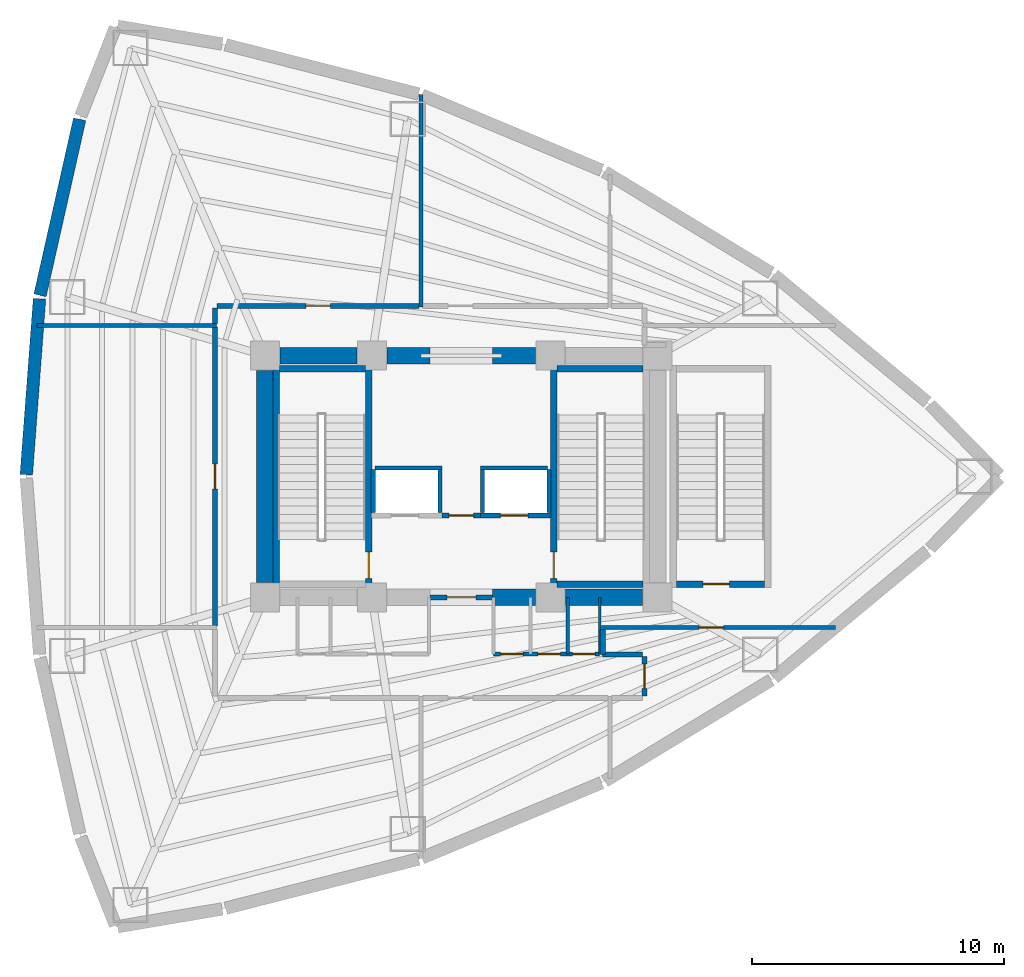
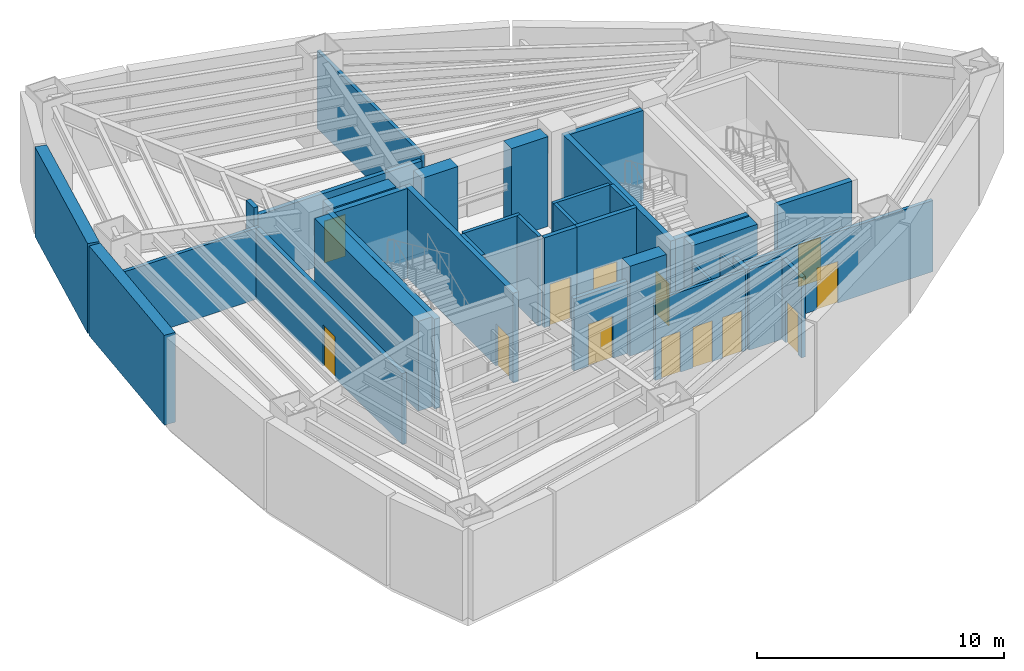
# One storey, part 3 of 5: 36 walls, 13 doors, 13 openings.
"""IFC4 building model written with IfcOpenShell, lengths in metres."""

from ifc_helpers import new_model, si_unit, direction, frame, frame_2d, origin, place, context, subcontext, project, spatial, rectangle, extrude, material, layer, layer_set, type_object, element, fill, save


model = new_model("IFC4")

# Units and contexts
model_context = context("Model", 3, precision=1e-05, world=origin(), true_north=direction((0.0, 1.0)))
body_context = subcontext(model_context, "Body", "Model", "MODEL_VIEW")
ifc_project = project(units=[si_unit("LENGTHUNIT", "METRE"), si_unit("AREAUNIT", "SQUARE_METRE"), si_unit("VOLUMEUNIT", "CUBIC_METRE"), si_unit("PLANEANGLEUNIT", "RADIAN"), si_unit("MASSUNIT", "GRAM", prefix="KILO")], contexts=[model_context])

# Site, building, storey
site_placement = place(None, origin())
site = spatial("IfcSite", under=ifc_project, at=site_placement, CompositionType="ELEMENT")
building_placement = place(site_placement, origin())
building = spatial("IfcBuilding", under=site, at=building_placement, Name="Menara Vayukalpa", CompositionType="ELEMENT")
storey_placement = place(building_placement, frame((0.0, 0.0, -4.800048828125)))
storey = spatial("IfcBuildingStorey", under=building, at=storey_placement, Name="B01", CompositionType="ELEMENT", Elevation=-4.800048828125)

# Walls
ifc_material_1 = material(Name="Concrete C80/95", Category="concrete")
ifc_layer_1 = layer(ifc_material_1, 0.64990234375)
ifc_layer_set_1 = layer_set([ifc_layer_1], Name="Concrete C80/95")
wall_type_1 = type_object("IfcWallType", Name="WAL-CW650", PredefinedType="SHEAR", material=ifc_layer_set_1)
wall_1_placement = place(storey_placement, frame((26.85009765625, 17.199951171875, 0.0), z_axis=(0.0, 0.0, 1.0), x_axis=(1.0, 0.0, 0.0)))
element("IfcWall", 1, at=wall_1_placement, inside=storey, type_object=wall_type_1, Name="B01 Buttressed Core Shear Wall CWS3", PredefinedType="SHEAR", context=body_context, shape_type="SweptSolid", body=[
    extrude(rectangle(XDim=1.704833984375, YDim=0.64990234375, at=frame_2d((0.8525390625, 0.0))), origin(), (0.0, 0.0, 1.0), 4.43994140625),
])
wall_2_placement = place(storey_placement, frame((29.7451171875, 17.199951171875, 0.0), z_axis=(0.0, 0.0, 1.0), x_axis=(1.0, 0.0, 0.0)))
element("IfcWall", 2, at=wall_2_placement, inside=storey, type_object=wall_type_1, Name="B01 Buttressed Core Shear Wall CWS4", PredefinedType="SHEAR", context=body_context, shape_type="SweptSolid", body=[
    extrude(rectangle(XDim=3.059814453125, YDim=0.64990234375, at=frame_2d((1.52978515625, 0.0))), origin(), (0.0, 0.0, 1.0), 4.43994140625),
])
wall_3_placement = place(storey_placement, frame((18.39501953125, 26.800048828125, 0.0), z_axis=(0.0, 0.0, 1.0), x_axis=(1.0, 0.0, 0.0)))
element("IfcWall", 3, at=wall_3_placement, inside=storey, type_object=wall_type_1, Name="B01 Buttressed Core Shear Wall CWN1", PredefinedType="SHEAR", context=body_context, shape_type="SweptSolid", body=[
    extrude(rectangle(XDim=3.06005859375, YDim=0.64990234375, at=frame_2d((1.530029296875, 0.0))), origin(), (0.0, 0.0, 1.0), 4.43994140625),
])
wall_4_placement = place(storey_placement, frame((22.64501953125, 26.800048828125, 0.0), z_axis=(0.0, 0.0, 1.0), x_axis=(1.0, 0.0, 0.0)))
element("IfcWall", 4, at=wall_4_placement, inside=storey, type_object=wall_type_1, Name="B01 Buttressed Core Shear Wall CWN2", PredefinedType="SHEAR", context=body_context, shape_type="SweptSolid", body=[
    extrude(rectangle(XDim=1.705078125, YDim=0.64990234375, at=frame_2d((0.8525390625, 0.0))), origin(), (0.0, 0.0, 1.0), 4.43994140625),
])
wall_5_placement = place(storey_placement, frame((26.85009765625, 26.800048828125, 0.0), z_axis=(0.0, 0.0, 1.0), x_axis=(1.0, 0.0, 0.0)))
element("IfcWall", 5, at=wall_5_placement, inside=storey, type_object=wall_type_1, Name="B01 Buttressed Core Shear Wall CWN3", PredefinedType="SHEAR", context=body_context, shape_type="SweptSolid", body=[
    extrude(rectangle(XDim=1.704833984375, YDim=0.64990234375, at=frame_2d((0.8525390625, 0.0))), origin(), (0.0, 0.0, 1.0), 4.43994140625),
])
wall_6_placement = place(storey_placement, frame((17.800048828125, 17.794921875, 0.0), z_axis=(0.0, 0.0, 1.0), x_axis=(0.0, 1.0, 0.0)))
element("IfcWall", 6, at=wall_6_placement, inside=storey, type_object=wall_type_1, Name="B01 Buttressed Core Shear Wall CWW1", PredefinedType="SHEAR", context=body_context, shape_type="SweptSolid", body=[
    extrude(rectangle(XDim=8.41015625, YDim=0.64990234375, at=frame_2d((4.205078125, 0.0))), origin(), (0.0, 0.0, 1.0), 4.43994140625),
])
ifc_material_2 = material(Name="Lightweight Concrete Blockwork C16/20", Category="masonry")
ifc_layer_2 = layer(ifc_material_2, 0.159912109375)
ifc_layer_set_2 = layer_set([ifc_layer_2], Name="Lightweight Concrete Blockwork C16/20")
wall_type_2 = type_object("IfcWallType", Name="WAL-FR150", PredefinedType="PARTITIONING", material=ifc_layer_set_2)
for number, where, z_axis, x_axis, name in (
    (7, (22.10498046875, 20.56005859375, 0.0), (0.0, 0.0, 1.0), (0.0, 1.0, 0.0), "B01 Interior Partition IW-B01-SHW-WW"),
    (8, (24.7548828125, 20.56005859375, 0.0), (0.0, 0.0, 1.0), (0.0, 1.0, 0.0), "B01 Interior Partition IW-B01-SHW-W1E"),
):
    element("IfcWall", number, at=place(storey_placement, frame(where, z_axis=z_axis, x_axis=x_axis)), inside=storey, type_object=wall_type_2, Name=name, PredefinedType="PARTITIONING", context=body_context, shape_type="SweptSolid", body=[
        extrude(rectangle(XDim=1.7099609375, YDim=0.159912109375, at=frame_2d((0.85498046875, 0.0))), origin(), (0.0, 0.0, 1.0), 4.43994140625),
    ])
wall_7_placement = place(storey_placement, frame((22.179931640625, 22.344970703125, 0.0), z_axis=(0.0, 0.0, 1.0), x_axis=(1.0, 0.0, 0.0)))
element("IfcWall", 9, at=wall_7_placement, inside=storey, type_object=wall_type_2, Name="B01 Interior Partition IW-B01-SHM-W12", PredefinedType="PARTITIONING", context=body_context, shape_type="SweptSolid", body=[
    extrude(rectangle(XDim=2.650146484375, YDim=0.159912109375, at=frame_2d((1.3251953125, 0.0))), origin(), (0.0, 0.0, 1.0), 4.43994140625),
])
for number, where, z_axis, x_axis, name in (
    (10, (29.094970703125, 20.56005859375, 0.0), (0.0, 0.0, 1.0), (0.0, 1.0, 0.0), "B01 Interior Partition IW-B01-SHW-EE"),
    (11, (26.445068359375, 20.56005859375, 0.0), (0.0, 0.0, 1.0), (0.0, 1.0, 0.0), "B01 Interior Partition IW-B01-SHW-E1W"),
):
    element("IfcWall", number, at=place(storey_placement, frame(where, z_axis=z_axis, x_axis=x_axis)), inside=storey, type_object=wall_type_2, Name=name, PredefinedType="PARTITIONING", context=body_context, shape_type="SweptSolid", body=[
        extrude(rectangle(XDim=1.7099609375, YDim=0.159912109375, at=frame_2d((0.85498046875, 0.0))), origin(), (0.0, 0.0, 1.0), 4.43994140625),
    ])
wall_8_placement = place(storey_placement, frame((26.3701171875, 22.344970703125, 0.0), z_axis=(0.0, 0.0, 1.0), x_axis=(1.0, 0.0, 0.0)))
element("IfcWall", 12, at=wall_8_placement, inside=storey, type_object=wall_type_2, Name="B01 Interior Partition IW-B01-SHM-E13", PredefinedType="PARTITIONING", context=body_context, shape_type="SweptSolid", body=[
    extrude(rectangle(XDim=2.64990234375, YDim=0.159912109375, at=frame_2d((1.324951171875, 0.0))), origin(), (0.0, 0.0, 1.0), 4.43994140625),
])
wall_9_placement = place(storey_placement, frame((24.0, 28.72998046875, 0.0), z_axis=(0.0, 0.0, 1.0), x_axis=(0.0, 1.0, 0.0)))
element("IfcWall", 13, at=wall_9_placement, inside=storey, type_object=wall_type_2, Name="B01 Interior Partition IW-B01-RDIV02", PredefinedType="PARTITIONING", context=body_context, shape_type="SweptSolid", body=[
    extrude(rectangle(XDim=8.450439453125, YDim=0.159912109375, at=frame_2d((4.22509765625, 0.0))), origin(), (0.0, 0.0, 1.0), 3.820068359375),
])

# Wall, opening, door
wall_10_placement = place(storey_placement, frame((31.169921875, 16.0, 0.0), z_axis=(0.0, 0.0, 1.0), x_axis=(1.0, 0.0, 0.0)))
wall_10 = element("IfcWall", 14, at=wall_10_placement, inside=storey, type_object=wall_type_2, Name="B01 Interior Partition IW-B01-RDIV06", PredefinedType="PARTITIONING", context=body_context, shape_type="SweptSolid", body=[
    extrude(rectangle(XDim=9.292236328125, YDim=0.159912109375, at=frame_2d((4.64599609375, 0.0))), origin(), (0.0, 0.0, 1.0), 3.52001953125),
])
opening_1_placement = place(wall_10_placement, frame((3.8642578125, 0.0, 0.0)))
opening_1 = element("IfcOpeningElement", 15, at=opening_1_placement, cuts=wall_10, Name="Opening ID3", PredefinedType="OPENING", context=body_context, shape_type="SweptSolid", body=[
    extrude(rectangle(XDim=0.97998046875, YDim=2.06005859375, at=frame_2d((0.489990234375, 1.030029296875))), frame((0.0, 0.08984375, 0.0), z_axis=(0.0, -1.0, 0.0), x_axis=(1.0, 0.0, 0.0)), (0.0, 0.0, 1.0), 0.179931640625),
])
ifc_material_3 = material(Name="Fire-Rated Powder-Coated Steel Door", Category="steel")
door_type_1 = type_object("IfcDoorType", Name="DR-FD60", OperationType="NOTDEFINED", PredefinedType="DOOR", material=ifc_material_3)
door_1_placement = place(opening_1_placement, origin())
door_1 = element("IfcDoor", 16, at=door_1_placement, inside=storey, type_object=door_type_1, Name="B01 Interior Door DR-B01-STE06", OperationType="SINGLE_SWING_LEFT", OverallHeight=2.06005859375, OverallWidth=0.97998046875, PredefinedType="DOOR", context=body_context, shape_type="SweptSolid", body=[
    extrude(rectangle(XDim=0.97998046875, YDim=2.06005859375, at=frame_2d((0.489990234375, 1.030029296875))), frame((0.0, 0.02490234375, 0.0), z_axis=(0.0, -1.0, 0.0), x_axis=(1.0, 0.0, 0.0)), (0.0, 0.0, 1.0), 0.050048828125),
])
fill(opening_1, door_1)

# Wall
wall_11_placement = place(storey_placement, frame((8.75732421875, 28.0, 0.0), z_axis=(0.0, 0.0, 1.0), x_axis=(1.0, 0.0, 0.0)))
element("IfcWall", 17, at=wall_11_placement, inside=storey, type_object=wall_type_2, Name="B01 Interior Partition IW-B01-RDIV07", PredefinedType="PARTITIONING", context=body_context, shape_type="SweptSolid", body=[
    extrude(rectangle(XDim=7.11279296875, YDim=0.159912109375, at=frame_2d((3.556396484375, 0.0))), origin(), (0.0, 0.0, 1.0), 3.52001953125),
])

# Wall, opening, door
ifc_material_4 = material(Name="Lightweight Concrete Blockwork C16/20", Category="masonry")
ifc_layer_3 = layer(ifc_material_4, 0.199951171875)
ifc_layer_set_3 = layer_set([ifc_layer_3], Name="Lightweight Concrete Blockwork C16/20")
wall_type_3 = type_object("IfcWallType", Name="WAL-FR200", PredefinedType="PARTITIONING", material=ifc_layer_set_3)
wall_12_placement = place(storey_placement, frame((24.35009765625, 17.199951171875, 0.0), z_axis=(0.0, 0.0, 1.0), x_axis=(1.0, 0.0, 0.0)))
wall_12 = element("IfcWall", 18, at=wall_12_placement, inside=storey, type_object=wall_type_3, Name="B01 Interior Partition IW-B01-FFLS", PredefinedType="PARTITIONING", context=body_context, shape_type="SweptSolid", body=[
    extrude(rectangle(XDim=2.5, YDim=0.199951171875, at=frame_2d((1.25, 0.0))), origin(), (0.0, 0.0, 1.0), 3.570068359375),
])
opening_2_placement = place(wall_12_placement, frame((0.679931640625, 0.0, 0.0)))
opening_2 = element("IfcOpeningElement", 19, at=opening_2_placement, cuts=wall_12, Name="Opening ID2", PredefinedType="OPENING", context=body_context, shape_type="SweptSolid", body=[
    extrude(rectangle(XDim=1.14990234375, YDim=2.080078125, at=frame_2d((0.574951171875, 1.0400390625))), frame((0.0, 0.10986328125, 0.0), z_axis=(0.0, -1.0, 0.0), x_axis=(1.0, 0.0, 0.0)), (0.0, 0.0, 1.0), 0.219970703125),
])
ifc_material_5 = material(Name="Fire-Rated Powder-Coated Steel Door", Category="steel")
door_type_2 = type_object("IfcDoorType", Name="DR-FD60W", OperationType="NOTDEFINED", PredefinedType="DOOR", material=ifc_material_5)
door_2_placement = place(opening_2_placement, origin())
door_2 = element("IfcDoor", 20, at=door_2_placement, inside=storey, type_object=door_type_2, Name="B01 Interior Door DR-B01-FFLS", OperationType="SINGLE_SWING_LEFT", OverallHeight=2.080078125, OverallWidth=1.14990234375, PredefinedType="DOOR", context=body_context, shape_type="SweptSolid", body=[
    extrude(rectangle(XDim=1.14990234375, YDim=2.080078125, at=frame_2d((0.574951171875, 1.0400390625))), frame((0.0, 0.02490234375, 0.0), z_axis=(0.0, -1.0, 0.0), x_axis=(1.0, 0.0, 0.0)), (0.0, 0.0, 1.0), 0.050048828125),
])
fill(opening_2, door_2)

wall_13_placement = place(storey_placement, frame((24.840087890625, 20.449951171875, 0.0), z_axis=(0.0, 0.0, 1.0), x_axis=(1.0, 0.0, 0.0)))
wall_13 = element("IfcWall", 21, at=wall_13_placement, inside=storey, type_object=wall_type_3, Name="B01 Interior Partition IW-B01-FFLN", PredefinedType="PARTITIONING", context=body_context, shape_type="SweptSolid", body=[
    extrude(rectangle(XDim=1.52001953125, YDim=0.199951171875, at=frame_2d((0.760009765625, 0.0))), origin(), (0.0, 0.0, 1.0), 4.43994140625),
])
opening_3_placement = place(wall_13_placement, frame((0.27001953125, 0.0, 0.0)))
opening_3 = element("IfcOpeningElement", 22, at=opening_3_placement, cuts=wall_13, Name="Opening ID3", PredefinedType="OPENING", context=body_context, shape_type="SweptSolid", body=[
    extrude(rectangle(XDim=0.97998046875, YDim=2.06005859375, at=frame_2d((0.489990234375, 1.030029296875))), frame((0.0, 0.10986328125, 0.0), z_axis=(0.0, -1.0, 0.0), x_axis=(1.0, 0.0, 0.0)), (0.0, 0.0, 1.0), 0.219970703125),
])
door_3_placement = place(opening_3_placement, origin())
door_3 = element("IfcDoor", 23, at=door_3_placement, inside=storey, type_object=door_type_1, Name="B01 Interior Door DR-B01-FFLN", OperationType="SINGLE_SWING_RIGHT", OverallHeight=2.06005859375, OverallWidth=0.97998046875, PredefinedType="DOOR", context=body_context, shape_type="SweptSolid", body=[
    extrude(rectangle(XDim=0.97998046875, YDim=2.06005859375, at=frame_2d((0.489990234375, 1.030029296875))), frame((0.0, 0.02490234375, 0.0), z_axis=(0.0, -1.0, 0.0), x_axis=(1.0, 0.0, 0.0)), (0.0, 0.0, 1.0), 0.050048828125),
])
fill(opening_3, door_3)

wall_14_placement = place(storey_placement, frame((26.3701171875, 20.449951171875, 0.0), z_axis=(0.0, 0.0, 1.0), x_axis=(1.0, 0.0, 0.0)))
wall_14 = element("IfcWall", 24, at=wall_14_placement, inside=storey, type_object=wall_type_3, Name="B01 Interior Partition IW-B01-SH-E1", PredefinedType="PARTITIONING", context=body_context, shape_type="SweptSolid", body=[
    extrude(rectangle(XDim=2.7998046875, YDim=0.199951171875, at=frame_2d((1.39990234375, 0.0))), origin(), (0.0, 0.0, 1.0), 4.43994140625),
])
opening_4_placement = place(wall_14_placement, frame((0.780029296875, 0.0, 0.0)))
opening_4 = element("IfcOpeningElement", 25, at=opening_4_placement, cuts=wall_14, Name="Opening LD1", PredefinedType="OPENING", context=body_context, shape_type="SweptSolid", body=[
    extrude(rectangle(XDim=1.10009765625, YDim=2.080078125, at=frame_2d((0.550048828125, 1.0400390625))), frame((0.0, 0.10986328125, 0.0), z_axis=(0.0, -1.0, 0.0), x_axis=(1.0, 0.0, 0.0)), (0.0, 0.0, 1.0), 0.219970703125),
])
ifc_material_6 = material(Name="Brushed Stainless Steel 316 Lift Door", Category="steel")
door_type_3 = type_object("IfcDoorType", Name="DR-LD110", OperationType="NOTDEFINED", PredefinedType="DOOR", material=ifc_material_6)
door_4_placement = place(opening_4_placement, origin())
door_4 = element("IfcDoor", 26, at=door_4_placement, inside=storey, type_object=door_type_3, Name="B01 Interior Door DR-B01-LD-E1", OperationType="DOUBLE_DOOR_SLIDING", OverallHeight=2.080078125, OverallWidth=1.10009765625, PredefinedType="DOOR", context=body_context, shape_type="SweptSolid", body=[
    extrude(rectangle(XDim=1.10009765625, YDim=2.080078125, at=frame_2d((0.550048828125, 1.0400390625))), frame((0.0, 0.02490234375, 0.0), z_axis=(0.0, -1.0, 0.0), x_axis=(1.0, 0.0, 0.0)), (0.0, 0.0, 1.0), 0.050048828125),
])
fill(opening_4, door_4)

wall_15_placement = place(storey_placement, frame((15.820068359375, 27.929931640625, 0.0), z_axis=(0.0, 0.0, 1.0), x_axis=(0.0, -1.0, 0.0)))
wall_15 = element("IfcWall", 27, at=wall_15_placement, inside=storey, type_object=wall_type_3, Name="B01 Interior Partition IW-B01-CRM01-1", PredefinedType="PARTITIONING", context=body_context, shape_type="SweptSolid", body=[
    extrude(rectangle(XDim=11.85986328125, YDim=0.199951171875, at=frame_2d((5.929931640625, 0.0))), origin(), (0.0, 0.0, 1.0), 3.52001953125),
])
opening_5_placement = place(wall_15_placement, frame((5.43994140625, 0.0, 0.0)))
opening_5 = element("IfcOpeningElement", 28, at=opening_5_placement, cuts=wall_15, Name="Opening ID3", PredefinedType="OPENING", context=body_context, shape_type="SweptSolid", body=[
    extrude(rectangle(XDim=0.97998046875, YDim=2.06005859375, at=frame_2d((0.489990234375, 1.030029296875))), frame((0.0, 0.10986328125, 0.0), z_axis=(0.0, -1.0, 0.0), x_axis=(1.0, 0.0, 0.0)), (0.0, 0.0, 1.0), 0.219970703125),
])
door_5_placement = place(opening_5_placement, origin())
door_5 = element("IfcDoor", 29, at=door_5_placement, inside=storey, type_object=door_type_1, Name="B01 Interior Door DR-B01-RM01", OperationType="SINGLE_SWING_RIGHT", OverallHeight=2.06005859375, OverallWidth=0.97998046875, PredefinedType="DOOR", context=body_context, shape_type="SweptSolid", body=[
    extrude(rectangle(XDim=0.97998046875, YDim=2.06005859375, at=frame_2d((0.489990234375, 1.030029296875))), frame((0.0, 0.02490234375, 0.0), z_axis=(0.0, -1.0, 0.0), x_axis=(1.0, 0.0, 0.0)), (0.0, 0.0, 1.0), 0.050048828125),
])
fill(opening_5, door_5)

wall_16_placement = place(storey_placement, frame((32.8798828125, 13.2900390625, 0.0), z_axis=(0.0, 0.0, 1.0), x_axis=(0.0, 1.0, 0.0)))
wall_16 = element("IfcWall", 30, at=wall_16_placement, inside=storey, type_object=wall_type_3, Name="B01 Interior Partition IW-B01-CRM05-2", PredefinedType="PARTITIONING", context=body_context, shape_type="SweptSolid", body=[
    extrude(rectangle(XDim=1.56005859375, YDim=0.199951171875, at=frame_2d((0.780029296875, 0.0))), origin(), (0.0, 0.0, 1.0), 3.969970703125),
])
opening_6_placement = place(wall_16_placement, frame((0.280029296875, 0.0, 0.0)))
opening_6 = element("IfcOpeningElement", 31, at=opening_6_placement, cuts=wall_16, Name="Opening ID3", PredefinedType="OPENING", context=body_context, shape_type="SweptSolid", body=[
    extrude(rectangle(XDim=0.97998046875, YDim=2.06005859375, at=frame_2d((0.489990234375, 1.030029296875))), frame((0.0, 0.10986328125, 0.0), z_axis=(0.0, -1.0, 0.0), x_axis=(1.0, 0.0, 0.0)), (0.0, 0.0, 1.0), 0.219970703125),
])
door_6_placement = place(opening_6_placement, origin())
door_6 = element("IfcDoor", 32, at=door_6_placement, inside=storey, type_object=door_type_1, Name="B01 Interior Door DR-B01-RM05", OperationType="SINGLE_SWING_LEFT", OverallHeight=2.06005859375, OverallWidth=0.97998046875, PredefinedType="DOOR", context=body_context, shape_type="SweptSolid", body=[
    extrude(rectangle(XDim=0.97998046875, YDim=2.06005859375, at=frame_2d((0.489990234375, 1.030029296875))), frame((0.0, 0.02490234375, 0.0), z_axis=(0.0, -1.0, 0.0), x_axis=(1.0, 0.0, 0.0)), (0.0, 0.0, 1.0), 0.050048828125),
])
fill(opening_6, door_6)

# Walls
wall_17_placement = place(storey_placement, frame((32.800048828125, 14.929931640625, 0.0), z_axis=(0.0, 0.0, 1.0), x_axis=(-1.0, 0.0, 0.0)))
element("IfcWall", 33, at=wall_17_placement, inside=storey, type_object=wall_type_3, Name="B01 Interior Partition IW-B01-CRM05-3", PredefinedType="PARTITIONING", context=body_context, shape_type="SweptSolid", body=[
    extrude(rectangle(XDim=1.580078125, YDim=0.199951171875, at=frame_2d((0.7900390625, 0.0))), origin(), (0.0, 0.0, 1.0), 3.969970703125),
])
wall_18_placement = place(storey_placement, frame((31.219970703125, 14.929931640625, 0.0), z_axis=(0.0, 0.0, 1.0), x_axis=(0.0, 1.0, 0.0)))
element("IfcWall", 34, at=wall_18_placement, inside=storey, type_object=wall_type_3, Name="B01 Interior Partition IW-B01-CRM05-4", PredefinedType="PARTITIONING", context=body_context, shape_type="SweptSolid", body=[
    extrude(rectangle(XDim=1.0, YDim=0.199951171875, at=frame_2d((0.5, 0.0))), origin(), (0.0, 0.0, 1.0), 3.969970703125),
])

# Wall, opening, door
wall_19_placement = place(storey_placement, frame((23.929931640625, 28.780029296875, 0.0), z_axis=(0.0, 0.0, 1.0), x_axis=(-1.0, 0.0, 0.0)))
wall_19 = element("IfcWall", 35, at=wall_19_placement, inside=storey, type_object=wall_type_3, Name="B01 Interior Partition IW-B01-CRM09-1", PredefinedType="PARTITIONING", context=body_context, shape_type="SweptSolid", body=[
    extrude(rectangle(XDim=8.030029296875, YDim=0.199951171875, at=frame_2d((4.01513671875, 0.0))), origin(), (0.0, 0.0, 1.0), 3.52001953125),
])
opening_7_placement = place(wall_19_placement, frame((3.52490234375, 0.0, 0.0)))
opening_7 = element("IfcOpeningElement", 36, at=opening_7_placement, cuts=wall_19, Name="Opening ID3", PredefinedType="OPENING", context=body_context, shape_type="SweptSolid", body=[
    extrude(rectangle(XDim=0.97998046875, YDim=2.06005859375, at=frame_2d((0.489990234375, 1.030029296875))), frame((0.0, 0.10986328125, 0.0), z_axis=(0.0, -1.0, 0.0), x_axis=(1.0, 0.0, 0.0)), (0.0, 0.0, 1.0), 0.219970703125),
])
door_7_placement = place(opening_7_placement, origin())
door_7 = element("IfcDoor", 37, at=door_7_placement, inside=storey, type_object=door_type_1, Name="B01 Interior Door DR-B01-RM09", OperationType="SINGLE_SWING_LEFT", OverallHeight=2.06005859375, OverallWidth=0.97998046875, PredefinedType="DOOR", context=body_context, shape_type="SweptSolid", body=[
    extrude(rectangle(XDim=0.97998046875, YDim=2.06005859375, at=frame_2d((0.489990234375, 1.030029296875))), frame((0.0, 0.02490234375, 0.0), z_axis=(0.0, -1.0, 0.0), x_axis=(1.0, 0.0, 0.0)), (0.0, 0.0, 1.0), 0.050048828125),
])
fill(opening_7, door_7)

# Walls
wall_20_placement = place(storey_placement, frame((15.820068359375, 28.699951171875, 0.0), z_axis=(0.0, 0.0, 1.0), x_axis=(0.0, -1.0, 0.0)))
element("IfcWall", 38, at=wall_20_placement, inside=storey, type_object=wall_type_3, Name="B01 Interior Partition IW-B01-CRM09-2", PredefinedType="PARTITIONING", context=body_context, shape_type="SweptSolid", body=[
    extrude(rectangle(XDim=0.6298828125, YDim=0.199951171875, at=frame_2d((0.31494140625, 0.0))), origin(), (0.0, 0.0, 1.0), 4.43994140625),
])
ifc_material_7 = material(Name="Acoustic Mineral Stud Partition", Category="masonry")
ifc_layer_4 = layer(ifc_material_7, 0.110107421875)
ifc_layer_set_4 = layer_set([ifc_layer_4], Name="Acoustic Mineral Stud Partition")
wall_type_4 = type_object("IfcWallType", Name="WAL-PT110", PredefinedType="PARTITIONING", material=ifc_layer_set_4)
wall_21_placement = place(storey_placement, frame((31.10009765625, 14.949951171875, 0.0), z_axis=(0.0, 0.0, 1.0), x_axis=(0.0, 1.0, 0.0)))
element("IfcWall", 39, at=wall_21_placement, inside=storey, type_object=wall_type_4, Name="B01 Interior Partition IW-B01-SVCD-07", PredefinedType="PARTITIONING", context=body_context, shape_type="SweptSolid", body=[
    extrude(rectangle(XDim=2.25, YDim=0.110107421875, at=frame_2d((1.125, 0.0))), origin(), (0.0, 0.0, 1.0), 3.570068359375),
])
ifc_material_8 = material(Name="Gypsum Drywall Steel Stud Assembly", Category="steel")
ifc_layer_5 = layer(ifc_material_8, 0.125)
ifc_layer_set_5 = layer_set([ifc_layer_5], Name="Gypsum Drywall Steel Stud Assembly")
wall_type_5 = type_object("IfcWallType", Name="WAL-PT125", PredefinedType="PARTITIONING", material=ifc_layer_set_5)
wall_22_placement = place(storey_placement, frame((29.830078125, 14.949951171875, 0.0), z_axis=(0.0, 0.0, 1.0), x_axis=(0.0, 1.0, 0.0)))
element("IfcWall", 40, at=wall_22_placement, inside=storey, type_object=wall_type_5, Name="B01 Interior Partition IW-B01-SVCD-06", PredefinedType="PARTITIONING", context=body_context, shape_type="SweptSolid", body=[
    extrude(rectangle(XDim=2.25, YDim=0.125, at=frame_2d((1.125, 0.0))), origin(), (0.0, 0.0, 1.0), 3.570068359375),
])

# Wall, openings, doors
ifc_material_9 = material(Name="Gypsum Drywall Acoustic Stud Assembly", Category="masonry")
ifc_layer_6 = layer(ifc_material_9, 0.14501953125)
ifc_layer_set_6 = layer_set([ifc_layer_6], Name="Gypsum Drywall Acoustic Stud Assembly")
wall_type_6 = type_object("IfcWallType", Name="WAL-PT150", PredefinedType="PARTITIONING", material=ifc_layer_set_6)
wall_23_placement = place(storey_placement, frame((26.8798828125, 14.949951171875, 0.0), z_axis=(0.0, 0.0, 1.0), x_axis=(1.0, 0.0, 0.0)))
wall_23 = element("IfcWall", 41, at=wall_23_placement, inside=storey, type_object=wall_type_6, Name="B01 Interior Partition IW-B01-SVCS-E", PredefinedType="PARTITIONING", context=body_context, shape_type="SweptSolid", body=[
    extrude(rectangle(XDim=4.22021484375, YDim=0.14501953125, at=frame_2d((2.110107421875, 0.0))), origin(), (0.0, 0.0, 1.0), 3.969970703125),
])
opening_8_placement = place(wall_23_placement, frame((0.280029296875, 0.0, 0.0)))
opening_8 = element("IfcOpeningElement", 42, at=opening_8_placement, cuts=wall_23, Name="Opening ID7", PredefinedType="OPENING", context=body_context, shape_type="SweptSolid", body=[
    extrude(rectangle(XDim=0.89990234375, YDim=2.02001953125, at=frame_2d((0.449951171875, 1.010009765625))), frame((0.0, 0.08251953125, 0.0), z_axis=(0.0, -1.0, 0.0), x_axis=(1.0, 0.0, 0.0)), (0.0, 0.0, 1.0), 0.1650390625),
])
opening_9_placement = place(wall_23_placement, frame((1.760009765625, 0.0, 0.0)))
opening_9 = element("IfcOpeningElement", 43, at=opening_9_placement, cuts=wall_23, Name="Opening ID7", PredefinedType="OPENING", context=body_context, shape_type="SweptSolid", body=[
    extrude(rectangle(XDim=0.89990234375, YDim=2.02001953125, at=frame_2d((0.449951171875, 1.010009765625))), frame((0.0, 0.08251953125, 0.0), z_axis=(0.0, -1.0, 0.0), x_axis=(1.0, 0.0, 0.0)), (0.0, 0.0, 1.0), 0.1650390625),
])
opening_10_placement = place(wall_23_placement, frame((3.139892578125, 0.0, 0.0)))
opening_10 = element("IfcOpeningElement", 44, at=opening_10_placement, cuts=wall_23, Name="Opening ID7", PredefinedType="OPENING", context=body_context, shape_type="SweptSolid", body=[
    extrude(rectangle(XDim=0.89990234375, YDim=2.02001953125, at=frame_2d((0.449951171875, 1.010009765625))), frame((0.0, 0.08251953125, 0.0), z_axis=(0.0, -1.0, 0.0), x_axis=(1.0, 0.0, 0.0)), (0.0, 0.0, 1.0), 0.1650390625),
])
ifc_material_10 = material(Name="Powder-Coated Steel Riser Access Door", Category="steel")
door_type_4 = type_object("IfcDoorType", Name="DR-RISER", OperationType="NOTDEFINED", PredefinedType="DOOR", material=ifc_material_10)
door_8_placement = place(opening_8_placement, origin())
door_8 = element("IfcDoor", 45, at=door_8_placement, inside=storey, type_object=door_type_4, Name="B01 Interior Door DR-B01-KSV1", OperationType="SINGLE_SWING_LEFT", OverallHeight=2.02001953125, OverallWidth=0.89990234375, PredefinedType="DOOR", context=body_context, shape_type="SweptSolid", body=[
    extrude(rectangle(XDim=0.89990234375, YDim=2.02001953125, at=frame_2d((0.449951171875, 1.010009765625))), frame((0.0, 0.02490234375, 0.0), z_axis=(0.0, -1.0, 0.0), x_axis=(1.0, 0.0, 0.0)), (0.0, 0.0, 1.0), 0.050048828125),
])
fill(opening_8, door_8)
door_9_placement = place(opening_9_placement, origin())
door_9 = element("IfcDoor", 46, at=door_9_placement, inside=storey, type_object=door_type_4, Name="B01 Interior Door DR-B01-KSV2", OperationType="SINGLE_SWING_RIGHT", OverallHeight=2.02001953125, OverallWidth=0.89990234375, PredefinedType="DOOR", context=body_context, shape_type="SweptSolid", body=[
    extrude(rectangle(XDim=0.89990234375, YDim=2.02001953125, at=frame_2d((0.449951171875, 1.010009765625))), frame((0.0, 0.02490234375, 0.0), z_axis=(0.0, -1.0, 0.0), x_axis=(1.0, 0.0, 0.0)), (0.0, 0.0, 1.0), 0.050048828125),
])
fill(opening_9, door_9)
door_10_placement = place(opening_10_placement, origin())
door_10 = element("IfcDoor", 47, at=door_10_placement, inside=storey, type_object=door_type_4, Name="B01 Interior Door DR-B01-SMD", OperationType="SINGLE_SWING_LEFT", OverallHeight=2.02001953125, OverallWidth=0.89990234375, PredefinedType="DOOR", context=body_context, shape_type="SweptSolid", body=[
    extrude(rectangle(XDim=0.89990234375, YDim=2.02001953125, at=frame_2d((0.449951171875, 1.010009765625))), frame((0.0, 0.02490234375, 0.0), z_axis=(0.0, -1.0, 0.0), x_axis=(1.0, 0.0, 0.0)), (0.0, 0.0, 1.0), 0.050048828125),
])
fill(opening_10, door_10)

# Walls
ifc_material_11 = material(Name="Concrete C50/60", Category="concrete")
ifc_layer_7 = layer(ifc_material_11, 0.5)
ifc_layer_set_7 = layer_set([ifc_layer_7], Name="Concrete C50/60")
wall_type_7 = type_object("IfcWallType", Name="WAL-RW500", PredefinedType="USERDEFINED", material=ifc_layer_set_7)
wall_24_placement = place(storey_placement, frame((10.440673828125, 36.189453125, 0.0), z_axis=(0.0, 0.0, 1.0), x_axis=(-0.219512195122, -0.975609756098, 0.0)))
element("IfcWall", 48, at=wall_24_placement, inside=storey, type_object=wall_type_7, Name="B01 Diaphragm Retaining Wall 09", ObjectType="RETAININGWALL", PredefinedType="USERDEFINED", context=body_context, shape_type="SweptSolid", body=[
    extrude(rectangle(XDim=7.1669921875, YDim=0.5, at=frame_2d((3.58349609375, 0.0))), origin(), (0.0, 0.0, 1.0), 4.43994140625),
])
wall_25_placement = place(storey_placement, frame((8.8466796875, 29.05908203125, 0.0), z_axis=(0.0, 0.0, 1.0), x_axis=(-0.074786484424, -0.997199569669, 0.0)))
element("IfcWall", 49, at=wall_25_placement, inside=storey, type_object=wall_type_7, Name="B01 Diaphragm Retaining Wall 10", ObjectType="RETAININGWALL", PredefinedType="USERDEFINED", context=body_context, shape_type="SweptSolid", body=[
    extrude(rectangle(XDim=7.0087890625, YDim=0.5, at=frame_2d((3.50439453125, 0.0))), origin(), (0.0, 0.0, 1.0), 4.43994140625),
])
ifc_material_12 = material(Name="Concrete C50/60", Category="concrete")
ifc_layer_8 = layer(ifc_material_12, 0.25)
ifc_layer_set_8 = layer_set([ifc_layer_8], Name="Concrete C50/60")
wall_type_8 = type_object("IfcWallType", Name="WAL-SW250", PredefinedType="SHEAR", material=ifc_layer_set_8)
wall_26_placement = place(storey_placement, frame((18.25390625, 17.60009765625, 0.0), z_axis=(0.0, 0.0, 1.0), x_axis=(0.0, 1.0, 0.0)))
element("IfcWall", 50, at=wall_26_placement, inside=storey, type_object=wall_type_8, Name="B01 ST1 Structural Stair Shaft Wall W", PredefinedType="SHEAR", context=body_context, shape_type="SweptSolid", body=[
    extrude(rectangle(XDim=8.7998046875, YDim=0.25, at=frame_2d((4.39990234375, 0.0))), origin(), (0.0, 0.0, 1.0), 4.43994140625),
])

# Wall, opening, door
wall_27_placement = place(storey_placement, frame((21.925048828125, 17.60009765625, 0.0), z_axis=(0.0, 0.0, 1.0), x_axis=(0.0, 1.0, 0.0)))
wall_27 = element("IfcWall", 51, at=wall_27_placement, inside=storey, type_object=wall_type_8, Name="B01 ST1 Structural Stair Shaft Wall E", PredefinedType="SHEAR", context=body_context, shape_type="SweptSolid", body=[
    extrude(rectangle(XDim=8.7998046875, YDim=0.25, at=frame_2d((4.39990234375, 0.0))), origin(), (0.0, 0.0, 1.0), 4.43994140625),
])
opening_11_placement = place(wall_27_placement, frame((0.35009765625, 0.0, 0.0)))
opening_11 = element("IfcOpeningElement", 52, at=opening_11_placement, cuts=wall_27, Name="Opening ID1", PredefinedType="OPENING", context=body_context, shape_type="SweptSolid", body=[
    extrude(rectangle(XDim=1.050048828125, YDim=2.080078125, at=frame_2d((0.52490234375, 1.0400390625))), frame((0.0, 0.135009765625, 0.0), z_axis=(0.0, -1.0, 0.0), x_axis=(1.0, 0.0, 0.0)), (0.0, 0.0, 1.0), 0.27001953125),
])
ifc_material_13 = material(Name="Fire-Rated Powder-Coated Steel Door", Category="steel")
door_type_5 = type_object("IfcDoorType", Name="DR-FD120", OperationType="NOTDEFINED", PredefinedType="DOOR", material=ifc_material_13)
door_11_placement = place(opening_11_placement, origin())
door_11 = element("IfcDoor", 53, at=door_11_placement, inside=storey, type_object=door_type_5, Name="B01 Stair Exit Door DR-B01-ST1", OperationType="SINGLE_SWING_LEFT", OverallHeight=2.080078125, OverallWidth=1.050048828125, PredefinedType="DOOR", context=body_context, shape_type="SweptSolid", body=[
    extrude(rectangle(XDim=1.050048828125, YDim=2.080078125, at=frame_2d((0.52490234375, 1.0400390625))), frame((0.0, 0.02490234375, 0.0), z_axis=(0.0, -1.0, 0.0), x_axis=(1.0, 0.0, 0.0)), (0.0, 0.0, 1.0), 0.050048828125),
])
fill(opening_11, door_11)

# Wall
wall_28_placement = place(storey_placement, frame((18.37890625, 26.27490234375, 0.0), z_axis=(0.0, 0.0, 1.0), x_axis=(1.0, 0.0, 0.0)))
element("IfcWall", 54, at=wall_28_placement, inside=storey, type_object=wall_type_8, Name="B01 ST1 Structural Stair Shaft Wall N", PredefinedType="SHEAR", context=body_context, shape_type="SweptSolid", body=[
    extrude(rectangle(XDim=3.421142578125, YDim=0.25, at=frame_2d((1.71044921875, 0.0))), origin(), (0.0, 0.0, 1.0), 4.43994140625),
])

# Wall, opening, door
wall_29_placement = place(storey_placement, frame((29.27490234375, 17.60009765625, 0.0), z_axis=(0.0, 0.0, 1.0), x_axis=(0.0, 1.0, 0.0)))
wall_29 = element("IfcWall", 55, at=wall_29_placement, inside=storey, type_object=wall_type_8, Name="B01 ST2 Structural Stair Shaft Wall W", PredefinedType="SHEAR", context=body_context, shape_type="SweptSolid", body=[
    extrude(rectangle(XDim=8.7998046875, YDim=0.25, at=frame_2d((4.39990234375, 0.0))), origin(), (0.0, 0.0, 1.0), 4.43994140625),
])
opening_12_placement = place(wall_29_placement, frame((0.35009765625, 0.0, 0.0)))
opening_12 = element("IfcOpeningElement", 56, at=opening_12_placement, cuts=wall_29, Name="Opening ID1", PredefinedType="OPENING", context=body_context, shape_type="SweptSolid", body=[
    extrude(rectangle(XDim=1.050048828125, YDim=2.080078125, at=frame_2d((0.52490234375, 1.0400390625))), frame((0.0, 0.135009765625, 0.0), z_axis=(0.0, -1.0, 0.0), x_axis=(1.0, 0.0, 0.0)), (0.0, 0.0, 1.0), 0.27001953125),
])
door_12_placement = place(opening_12_placement, origin())
door_12 = element("IfcDoor", 57, at=door_12_placement, inside=storey, type_object=door_type_5, Name="B01 Stair Exit Door DR-B01-ST2", OperationType="SINGLE_SWING_RIGHT", OverallHeight=2.080078125, OverallWidth=1.050048828125, PredefinedType="DOOR", context=body_context, shape_type="SweptSolid", body=[
    extrude(rectangle(XDim=1.050048828125, YDim=2.080078125, at=frame_2d((0.52490234375, 1.0400390625))), frame((0.0, 0.02490234375, 0.0), z_axis=(0.0, -1.0, 0.0), x_axis=(1.0, 0.0, 0.0)), (0.0, 0.0, 1.0), 0.050048828125),
])
fill(opening_12, door_12)

# Walls
for number, where, z_axis, x_axis, name in (
    (58, (29.39990234375, 17.72509765625, 0.0), (0.0, 0.0, 1.0), (1.0, 0.0, 0.0), "B01 ST2 Structural Stair Shaft Wall S"),
    (59, (29.39990234375, 26.27490234375, 0.0), (0.0, 0.0, 1.0), (1.0, 0.0, 0.0), "B01 ST2 Structural Stair Shaft Wall N"),
):
    element("IfcWall", number, at=place(storey_placement, frame(where, z_axis=z_axis, x_axis=x_axis)), inside=storey, type_object=wall_type_8, Name=name, PredefinedType="SHEAR", context=body_context, shape_type="SweptSolid", body=[
        extrude(rectangle(XDim=3.421142578125, YDim=0.25, at=frame_2d((1.71044921875, 0.0))), origin(), (0.0, 0.0, 1.0), 4.43994140625),
    ])

# Wall, opening, door
wall_30_placement = place(storey_placement, frame((34.14990234375, 17.72509765625, 0.0), z_axis=(0.0, 0.0, 1.0), x_axis=(1.0, 0.0, 0.0)))
wall_30 = element("IfcWall", 60, at=wall_30_placement, inside=storey, type_object=wall_type_8, Name="B01 ST3 Structural Stair Shaft Wall S", PredefinedType="SHEAR", context=body_context, shape_type="SweptSolid", body=[
    extrude(rectangle(XDim=3.5, YDim=0.25, at=frame_2d((1.75, 0.0))), origin(), (0.0, 0.0, 1.0), 4.43994140625),
])
opening_13_placement = place(wall_30_placement, frame((1.050048828125, 0.0, 0.0)))
opening_13 = element("IfcOpeningElement", 61, at=opening_13_placement, cuts=wall_30, Name="Opening ID1", PredefinedType="OPENING", context=body_context, shape_type="SweptSolid", body=[
    extrude(rectangle(XDim=1.050048828125, YDim=2.080078125, at=frame_2d((0.52490234375, 1.0400390625))), frame((0.0, 0.135009765625, 0.0), z_axis=(0.0, -1.0, 0.0), x_axis=(1.0, 0.0, 0.0)), (0.0, 0.0, 1.0), 0.27001953125),
])
door_13_placement = place(opening_13_placement, origin())
door_13 = element("IfcDoor", 62, at=door_13_placement, inside=storey, type_object=door_type_5, Name="B01 Stair Exit Door DR-B01-ST3", OperationType="SINGLE_SWING_RIGHT", OverallHeight=2.080078125, OverallWidth=1.050048828125, PredefinedType="DOOR", context=body_context, shape_type="SweptSolid", body=[
    extrude(rectangle(XDim=1.050048828125, YDim=2.080078125, at=frame_2d((0.52490234375, 1.0400390625))), frame((0.0, 0.02490234375, 0.0), z_axis=(0.0, -1.0, 0.0), x_axis=(1.0, 0.0, 0.0)), (0.0, 0.0, 1.0), 0.050048828125),
])
fill(opening_13, door_13)

save(model, "model.ifc")
